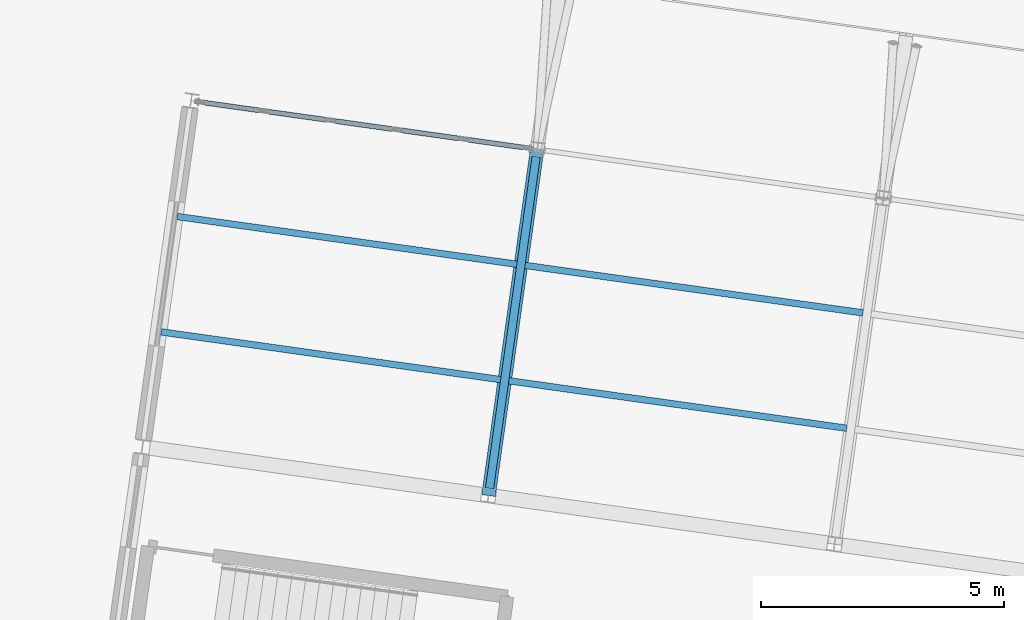
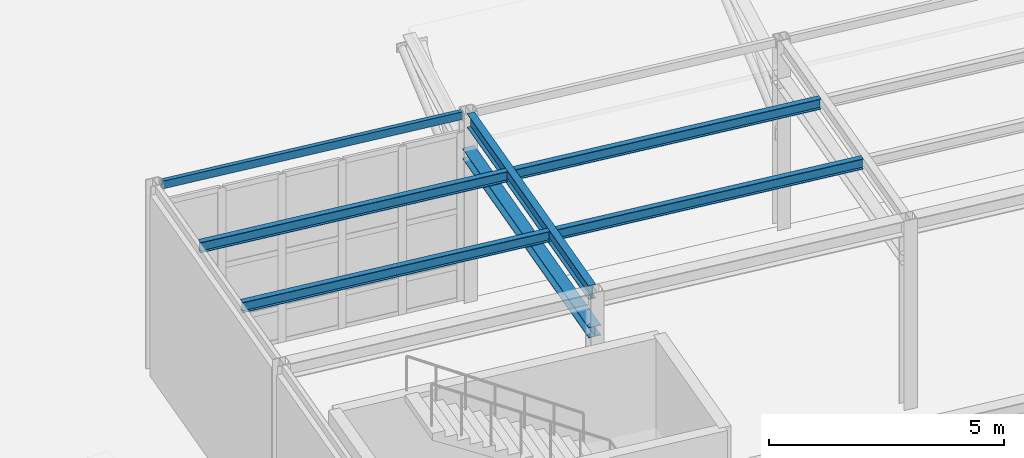
# One storey, part 26 of 57: 7 beams.
"""IFC4 building model written with IfcOpenShell, lengths in metres."""

from ifc_helpers import new_model, si_unit, direction, frame, origin, origin_2d, place, context, subcontext, project, spatial, hollow_rectangle, i_section, extrude, material, material_profile, profile_set, type_object, element, save


model = new_model("IFC4")

# Units and contexts
model_context = context("Model", 3, precision=1e-05, world=origin(), true_north=direction((0.0, 1.0)))
body_context = subcontext(model_context, "Body", "Model", "MODEL_VIEW")
ifc_project = project(units=[si_unit("LENGTHUNIT", "METRE"), si_unit("AREAUNIT", "SQUARE_METRE"), si_unit("VOLUMEUNIT", "CUBIC_METRE"), si_unit("PLANEANGLEUNIT", "RADIAN"), si_unit("MASSUNIT", "GRAM", prefix="KILO")], contexts=[model_context])

# Site, building, storey
site_placement = place(None, origin())
site = spatial("IfcSite", under=ifc_project, at=site_placement, CompositionType="ELEMENT")
building_placement = place(site_placement, origin())
building = spatial("IfcBuilding", under=site, at=building_placement, Name="Kharisveld Research Institute", CompositionType="ELEMENT")
storey_placement = place(building_placement, origin())
storey = spatial("IfcBuildingStorey", under=building, at=storey_placement, Name="L00", CompositionType="ELEMENT", Elevation=0.0)

# Beams
ifc_material_1 = material(Name="Steel S355JR", Category="steel")
ifc_material_profile_1 = material_profile(ifc_material_1, i_section(OverallWidth=0.280029296875, OverallDepth=0.27001953125, WebThickness=0.008056640625, FlangeThickness=0.012939453125, at=origin_2d()))
ifc_profile_set_1 = profile_set([ifc_material_profile_1], Name="Steel S355JR")
beam_type_1 = type_object("IfcBeamType", Name="BM_ST_HEA280", PredefinedType="BEAM", material=ifc_profile_set_1)
beam_1_placement = place(storey_placement, frame((84.134033203125, 30.7578125, 3.81005859375), z_axis=(0.139161311926, 0.990269725511, 0.0), x_axis=(-0.990269725511, 0.139161311926, 0.0)))
element("IfcBeam", 1, at=beam_1_placement, inside=storey, type_object=beam_type_1, Name="BM:V4:L00:CAN_BACK_1", PredefinedType="BEAM", context=body_context, shape_type="SweptSolid", body=[
    extrude(i_section(OverallWidth=0.280029296875, OverallDepth=0.27001953125, WebThickness=0.008056640625, FlangeThickness=0.012939453125, at=origin_2d()), origin(), (0.0, 0.0, 1.0), 7.199951171875),
])
ifc_material_2 = material(Name="Steel S355JR", Category="steel")
ifc_material_profile_2 = material_profile(ifc_material_2, i_section(OverallWidth=0.169921875, OverallDepth=0.360107421875, WebThickness=0.008056640625, FlangeThickness=0.0126953125, at=origin_2d()))
ifc_profile_set_2 = profile_set([ifc_material_profile_2], Name="Steel S355JR")
beam_type_2 = type_object("IfcBeamType", Name="BM_ST_IPE360", PredefinedType="BEAM", material=ifc_profile_set_2)
beam_2_placement = place(storey_placement, frame((84.15478515625, 30.90625, 4.739990234375), z_axis=(0.139191945225, 0.99026542017, 0.0), x_axis=(-0.99026542017, 0.139191945225, 0.0)))
element("IfcBeam", 2, at=beam_2_placement, inside=storey, type_object=beam_type_2, Name="BM:V4:L00:V1_2", PredefinedType="BEAM", context=body_context, shape_type="SweptSolid", body=[
    extrude(i_section(OverallWidth=0.169921875, OverallDepth=0.360107421875, WebThickness=0.008056640625, FlangeThickness=0.0126953125, at=origin_2d()), origin(), (0.0, 0.0, 1.0), 6.900146484375),
])
ifc_material_3 = material(Name="Steel S355JR", Category="steel")
ifc_material_profile_3 = material_profile(ifc_material_3, i_section(OverallWidth=0.135009765625, OverallDepth=0.27001953125, WebThickness=0.006591796875, FlangeThickness=0.01025390625, at=origin_2d()))
ifc_profile_set_3 = profile_set([ifc_material_profile_3], Name="Steel S355JR")
beam_type_3 = type_object("IfcBeamType", Name="JS_ST_IPE270", PredefinedType="JOIST", material=ifc_profile_set_3)
for number, where, z_axis, x_axis, name in (
    (3, (77.3876953125, 34.129638671875, 4.784912109375), (0.990264916406, -0.139195529149, 0.0), (0.139195529149, 0.990264916406, 0.0), "BM:V4:L00:J_0_2_R1"),
    (4, (77.7216796875, 36.506103515625, 4.784912109375), (0.990269679199, -0.139161641476, 0.0), (0.139161641476, 0.990269679199, 0.0), "BM:V4:L00:J_0_2_R2"),
):
    element("IfcBeam", number, at=place(storey_placement, frame(where, z_axis=z_axis, x_axis=x_axis)), inside=storey, type_object=beam_type_3, Name=name, PredefinedType="JOIST", context=body_context, shape_type="SweptSolid", body=[
        extrude(i_section(OverallWidth=0.135009765625, OverallDepth=0.27001953125, WebThickness=0.006591796875, FlangeThickness=0.01025390625, at=origin_2d()), origin(), (0.0, 0.0, 1.0), 7.06494140625),
    ])
for number, where, z_axis, x_axis, name in (
    (5, (84.55224609375, 33.12255859375, 4.784912109375), (0.990270566494, -0.13915532737, 0.0), (0.13915532737, 0.990270566494, 0.0), "BM:V4:L00:J_1_2_R1"),
    (6, (84.88623046875, 35.499267578125, 4.784912109375), (0.990270566494, -0.13915532737, 0.0), (0.13915532737, 0.990270566494, 0.0), "BM:V4:L00:J_1_2_R2"),
):
    element("IfcBeam", number, at=place(storey_placement, frame(where, z_axis=z_axis, x_axis=x_axis)), inside=storey, type_object=beam_type_3, Name=name, PredefinedType="JOIST", context=body_context, shape_type="SweptSolid", body=[
        extrude(i_section(OverallWidth=0.135009765625, OverallDepth=0.27001953125, WebThickness=0.006591796875, FlangeThickness=0.01025390625, at=origin_2d()), origin(), (0.0, 0.0, 1.0), 7.030029296875),
    ])
ifc_material_4 = material(Name="Steel S355J2H", Category="steel")
ifc_material_profile_4 = material_profile(ifc_material_4, hollow_rectangle(XDim=0.10009765625, YDim=0.199951171875, WallThickness=0.008056640625, at=origin_2d()))
ifc_profile_set_4 = profile_set([ifc_material_profile_4], Name="Steel S355J2H")
beam_type_4 = type_object("IfcBeamType", Name="SP_ST_RHS200", PredefinedType="SPANDREL", material=ifc_profile_set_4)
beam_3_placement = place(storey_placement, frame((78.15478515625, 38.868896484375, 4.820068359375), z_axis=(0.990269611306, -0.139162124603, 0.0), x_axis=(0.139162124603, 0.990269611306, 0.0)))
element("IfcBeam", 7, at=beam_3_placement, inside=storey, type_object=beam_type_4, Name="BM:V4:L00:U0_3", PredefinedType="SPANDREL", context=body_context, shape_type="SweptSolid", body=[
    extrude(hollow_rectangle(XDim=0.10009765625, YDim=0.199951171875, WallThickness=0.008056640625, at=origin_2d()), origin(), (0.0, 0.0, 1.0), 6.89990234375),
])

save(model, "model.ifc")
